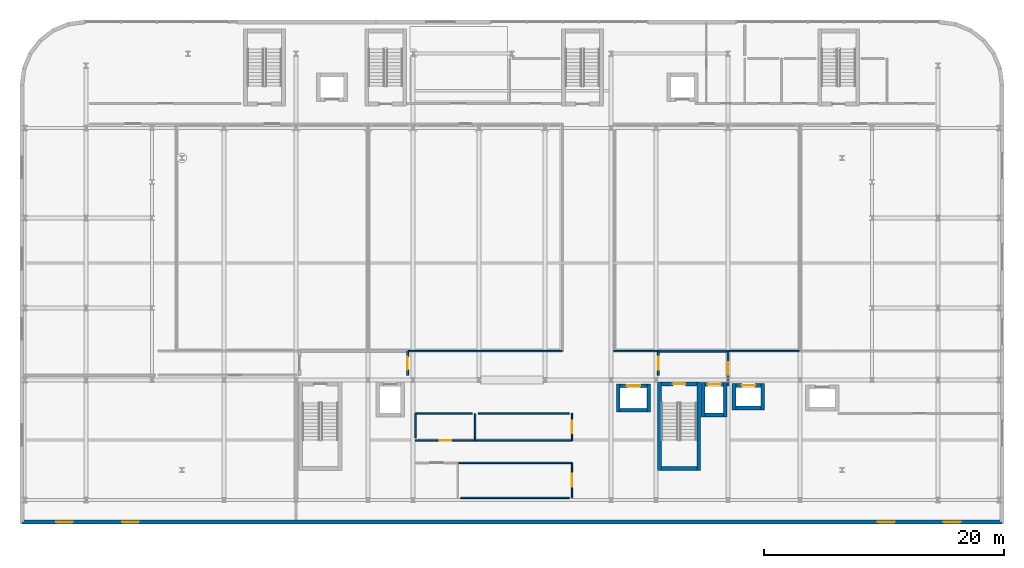
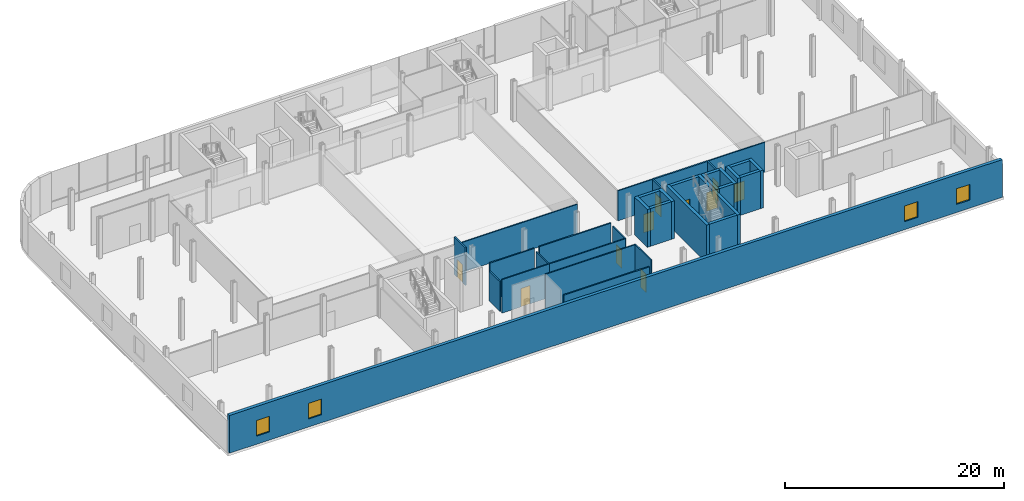
# One storey, part 17 of 25: 34 walls, 10 doors, 4 windows, 14 openings.
"""IFC4 building model written with IfcOpenShell, lengths in metres."""

from ifc_helpers import new_model, si_unit, direction, frame, frame_2d, origin, place, context, subcontext, project, spatial, rectangle, extrude, material, layer, layer_set, type_object, element, fill, save


model = new_model("IFC4")

# Units and contexts
model_context = context("Model", 3, precision=1e-05, world=origin(), true_north=direction((0.0, 1.0)))
body_context = subcontext(model_context, "Body", "Model", "MODEL_VIEW")
ifc_project = project(units=[si_unit("LENGTHUNIT", "METRE"), si_unit("AREAUNIT", "SQUARE_METRE"), si_unit("VOLUMEUNIT", "CUBIC_METRE"), si_unit("PLANEANGLEUNIT", "RADIAN"), si_unit("MASSUNIT", "GRAM", prefix="KILO")], contexts=[model_context])

# Site, building, storey
site_placement = place(None, origin())
site = spatial("IfcSite", under=ifc_project, at=site_placement, CompositionType="ELEMENT")
building_placement = place(site_placement, origin())
building = spatial("IfcBuilding", under=site, at=building_placement, Name="Brevholm Reach", CompositionType="ELEMENT")
storey_placement = place(building_placement, frame((0.0, 0.0, 13.5)))
storey = spatial("IfcBuildingStorey", under=building, at=storey_placement, Name="L03", CompositionType="ELEMENT", Elevation=13.5)

# Walls
ifc_material_1 = material(Name="Concrete C60/75", Category="concrete")
ifc_layer_1 = layer(ifc_material_1, 0.320068359375)
ifc_layer_set_1 = layer_set([ifc_layer_1], Name="Concrete C60/75")
wall_type_1 = type_object("IfcWallType", Name="WAL-COR-320", PredefinedType="SHEAR", material=ifc_layer_set_1)
for number, where, z_axis, x_axis, name in (
    (1, (42.2900390625, 2.4599609375, 0.0), (0.0, 0.0, 1.0), (0.0, 1.0, 0.0), "L03 Escape Stair ST-2 Core Wall W"),
    (2, (45.56005859375, 2.4599609375, 0.0), (0.0, 0.0, 1.0), (0.0, 1.0, 0.0), "L03 Escape Stair ST-2 Core Wall E"),
):
    element("IfcWall", number, at=place(storey_placement, frame(where, z_axis=z_axis, x_axis=x_axis)), inside=storey, type_object=wall_type_1, Name=name, PredefinedType="SHEAR", context=body_context, shape_type="SweptSolid", body=[
        extrude(rectangle(XDim=7.360107421875, YDim=0.320068359375, at=frame_2d((3.68017578125, 0.0))), origin(), (0.0, 0.0, 1.0), 4.219970703125),
    ])
wall_1_placement = place(storey_placement, frame((42.449951171875, 2.6201171875, 0.0), z_axis=(0.0, 0.0, 1.0), x_axis=(1.0, 0.0, 0.0)))
element("IfcWall", 3, at=wall_1_placement, inside=storey, type_object=wall_type_1, Name="L03 Escape Stair ST-2 Core Wall S", PredefinedType="SHEAR", context=body_context, shape_type="SweptSolid", body=[
    extrude(rectangle(XDim=2.949951171875, YDim=0.320068359375, at=frame_2d((1.47509765625, 0.0))), origin(), (0.0, 0.0, 1.0), 4.219970703125),
])

# Wall, opening, door
wall_2_placement = place(storey_placement, frame((45.39990234375, 9.659912109375, 0.0), z_axis=(0.0, 0.0, 1.0), x_axis=(-1.0, 0.0, 0.0)))
wall_2 = element("IfcWall", 4, at=wall_2_placement, inside=storey, type_object=wall_type_1, Name="L03 Escape Stair ST-2 Core Wall N", PredefinedType="SHEAR", context=body_context, shape_type="SweptSolid", body=[
    extrude(rectangle(XDim=2.949951171875, YDim=0.320068359375, at=frame_2d((1.47509765625, 0.0))), origin(), (0.0, 0.0, 1.0), 4.219970703125),
])
opening_1_placement = place(wall_2_placement, frame((0.949951171875, 0.0, 0.0)))
opening_1 = element("IfcOpeningElement", 5, at=opening_1_placement, cuts=wall_2, Name="Opening SD-ST-2", PredefinedType="OPENING", context=body_context, shape_type="SweptSolid", body=[
    extrude(rectangle(XDim=1.050048828125, YDim=2.06005859375, at=frame_2d((0.52490234375, 1.030029296875))), frame((0.0, 0.169921875, 0.0), z_axis=(0.0, -1.0, 0.0), x_axis=(1.0, 0.0, 0.0)), (0.0, 0.0, 1.0), 0.340087890625),
])
ifc_material_2 = material(Name="Hardwood-Lipped Steel-Core Fire and Smoke Door", Category="steel")
door_type_1 = type_object("IfcDoorType", Name="DOR-INT-FD60S", OperationType="NOTDEFINED", PredefinedType="DOOR", material=ifc_material_2)
door_1_placement = place(opening_1_placement, origin())
door_1 = element("IfcDoor", 6, at=door_1_placement, inside=storey, type_object=door_type_1, Name="L03 Protected Stair ST-2 Lobby Door", OperationType="SINGLE_SWING_RIGHT", OverallHeight=2.06005859375, OverallWidth=1.050048828125, PredefinedType="DOOR", context=body_context, shape_type="SweptSolid", body=[
    extrude(rectangle(XDim=1.050048828125, YDim=2.06005859375, at=frame_2d((0.52490234375, 1.030029296875))), frame((0.0, 0.02490234375, 0.0), z_axis=(0.0, -1.0, 0.0), x_axis=(1.0, 0.0, 0.0)), (0.0, 0.0, 1.0), 0.050048828125),
])
fill(opening_1, door_1)

# Walls
for number, where, z_axis, x_axis, name in (
    (7, (45.929931640625, 6.919921875, 0.0), (0.0, 0.0, 1.0), (0.0, 1.0, 0.0), "L03 Lift FFL-2 Shaft Wall W"),
    (8, (47.77001953125, 6.919921875, 0.0), (0.0, 0.0, 1.0), (0.0, 1.0, 0.0), "L03 Lift FFL-2 Shaft Wall E"),
):
    element("IfcWall", number, at=place(storey_placement, frame(where, z_axis=z_axis, x_axis=x_axis)), inside=storey, type_object=wall_type_1, Name=name, PredefinedType="SHEAR", context=body_context, shape_type="SweptSolid", body=[
        extrude(rectangle(XDim=2.860107421875, YDim=0.320068359375, at=frame_2d((1.43017578125, 0.0))), origin(), (0.0, 0.0, 1.0), 4.219970703125),
    ])
wall_3_placement = place(storey_placement, frame((46.090087890625, 7.080078125, 0.0), z_axis=(0.0, 0.0, 1.0), x_axis=(1.0, 0.0, 0.0)))
element("IfcWall", 9, at=wall_3_placement, inside=storey, type_object=wall_type_1, Name="L03 Lift FFL-2 Shaft Wall S", PredefinedType="SHEAR", context=body_context, shape_type="SweptSolid", body=[
    extrude(rectangle(XDim=1.52001953125, YDim=0.320068359375, at=frame_2d((0.760009765625, 0.0))), origin(), (0.0, 0.0, 1.0), 4.219970703125),
])

# Wall, opening, door
wall_4_placement = place(storey_placement, frame((46.090087890625, 9.6201171875, 0.0), z_axis=(0.0, 0.0, 1.0), x_axis=(1.0, 0.0, 0.0)))
wall_4 = element("IfcWall", 10, at=wall_4_placement, inside=storey, type_object=wall_type_1, Name="L03 Lift FFL-2 Shaft Wall N", PredefinedType="SHEAR", context=body_context, shape_type="SweptSolid", body=[
    extrude(rectangle(XDim=1.52001953125, YDim=0.320068359375, at=frame_2d((0.760009765625, 0.0))), origin(), (0.0, 0.0, 1.0), 4.219970703125),
])
opening_2_placement = place(wall_4_placement, frame((0.2099609375, 0.0, 0.0)))
opening_2 = element("IfcOpeningElement", 11, at=opening_2_placement, cuts=wall_4, Name="Opening LD-FFL-2", PredefinedType="OPENING", context=body_context, shape_type="SweptSolid", body=[
    extrude(rectangle(XDim=1.10009765625, YDim=2.06005859375, at=frame_2d((0.550048828125, 1.030029296875))), frame((0.0, 0.169921875, 0.0), z_axis=(0.0, -1.0, 0.0), x_axis=(1.0, 0.0, 0.0)), (0.0, 0.0, 1.0), 0.340087890625),
])
ifc_material_3 = material(Name="Brushed Stainless Steel Fire-Rated Sliding Lift Door", Category="steel")
door_type_2 = type_object("IfcDoorType", Name="DOR-LFT-1100", OperationType="NOTDEFINED", PredefinedType="DOOR", material=ifc_material_3)
door_2_placement = place(opening_2_placement, origin())
door_2 = element("IfcDoor", 12, at=door_2_placement, inside=storey, type_object=door_type_2, Name="L03 Lift FFL-2 Sliding Landing Door", OperationType="SLIDING_TO_RIGHT", OverallHeight=2.06005859375, OverallWidth=1.10009765625, PredefinedType="DOOR", context=body_context, shape_type="SweptSolid", body=[
    extrude(rectangle(XDim=1.10009765625, YDim=2.06005859375, at=frame_2d((0.550048828125, 1.030029296875))), frame((0.0, 0.02490234375, 0.0), z_axis=(0.0, -1.0, 0.0), x_axis=(1.0, 0.0, 0.0)), (0.0, 0.0, 1.0), 0.050048828125),
])
fill(opening_2, door_2)

# Walls
for number, where, z_axis, x_axis, name in (
    (13, (48.5048828125, 7.4951171875, 0.0), (0.0, 0.0, 1.0), (0.0, 1.0, 0.0), "L03 Lift PL-L1 Shaft Wall W"),
    (14, (50.89501953125, 7.4951171875, 0.0), (0.0, 0.0, 1.0), (0.0, 1.0, 0.0), "L03 Lift PL-L1 Shaft Wall E"),
):
    element("IfcWall", number, at=place(storey_placement, frame(where, z_axis=z_axis, x_axis=x_axis)), inside=storey, type_object=wall_type_1, Name=name, PredefinedType="SHEAR", context=body_context, shape_type="SweptSolid", body=[
        extrude(rectangle(XDim=2.2099609375, YDim=0.320068359375, at=frame_2d((1.10498046875, 0.0))), origin(), (0.0, 0.0, 1.0), 4.219970703125),
    ])
wall_5_placement = place(storey_placement, frame((48.6650390625, 7.655029296875, 0.0), z_axis=(0.0, 0.0, 1.0), x_axis=(1.0, 0.0, 0.0)))
element("IfcWall", 15, at=wall_5_placement, inside=storey, type_object=wall_type_1, Name="L03 Lift PL-L1 Shaft Wall S", PredefinedType="SHEAR", context=body_context, shape_type="SweptSolid", body=[
    extrude(rectangle(XDim=2.070068359375, YDim=0.320068359375, at=frame_2d((1.03515625, 0.0))), origin(), (0.0, 0.0, 1.0), 4.219970703125),
])

# Wall, opening, door
wall_6_placement = place(storey_placement, frame((48.6650390625, 9.544921875, 0.0), z_axis=(0.0, 0.0, 1.0), x_axis=(1.0, 0.0, 0.0)))
wall_6 = element("IfcWall", 16, at=wall_6_placement, inside=storey, type_object=wall_type_1, Name="L03 Lift PL-L1 Shaft Wall N", PredefinedType="SHEAR", context=body_context, shape_type="SweptSolid", body=[
    extrude(rectangle(XDim=2.070068359375, YDim=0.320068359375, at=frame_2d((1.03515625, 0.0))), origin(), (0.0, 0.0, 1.0), 4.219970703125),
])
opening_3_placement = place(wall_6_placement, frame((0.485107421875, 0.0, 0.0)))
opening_3 = element("IfcOpeningElement", 17, at=opening_3_placement, cuts=wall_6, Name="Opening LD-PL-L1", PredefinedType="OPENING", context=body_context, shape_type="SweptSolid", body=[
    extrude(rectangle(XDim=1.10009765625, YDim=2.06005859375, at=frame_2d((0.550048828125, 1.030029296875))), frame((0.0, 0.169921875, 0.0), z_axis=(0.0, -1.0, 0.0), x_axis=(1.0, 0.0, 0.0)), (0.0, 0.0, 1.0), 0.340087890625),
])
door_3_placement = place(opening_3_placement, origin())
door_3 = element("IfcDoor", 18, at=door_3_placement, inside=storey, type_object=door_type_2, Name="L03 Lift PL-L1 Sliding Landing Door", OperationType="SLIDING_TO_LEFT", OverallHeight=2.06005859375, OverallWidth=1.10009765625, PredefinedType="DOOR", context=body_context, shape_type="SweptSolid", body=[
    extrude(rectangle(XDim=1.10009765625, YDim=2.06005859375, at=frame_2d((0.550048828125, 1.030029296875))), frame((0.0, 0.02490234375, 0.0), z_axis=(0.0, -1.0, 0.0), x_axis=(1.0, 0.0, 0.0)), (0.0, 0.0, 1.0), 0.050048828125),
])
fill(opening_3, door_3)

# Walls
for number, where, z_axis, x_axis, name in (
    (19, (38.85009765625, 7.320068359375, 0.0), (0.0, 0.0, 1.0), (0.0, 1.0, 0.0), "L03 Lift PL-S1 Shaft Wall W"),
    (20, (41.389892578125, 7.320068359375, 0.0), (0.0, 0.0, 1.0), (0.0, 1.0, 0.0), "L03 Lift PL-S1 Shaft Wall E"),
):
    element("IfcWall", number, at=place(storey_placement, frame(where, z_axis=z_axis, x_axis=x_axis)), inside=storey, type_object=wall_type_1, Name=name, PredefinedType="SHEAR", context=body_context, shape_type="SweptSolid", body=[
        extrude(rectangle(XDim=2.35986328125, YDim=0.320068359375, at=frame_2d((1.179931640625, 0.0))), origin(), (0.0, 0.0, 1.0), 4.219970703125),
    ])
wall_7_placement = place(storey_placement, frame((39.010009765625, 7.47998046875, 0.0), z_axis=(0.0, 0.0, 1.0), x_axis=(1.0, 0.0, 0.0)))
element("IfcWall", 21, at=wall_7_placement, inside=storey, type_object=wall_type_1, Name="L03 Lift PL-S1 Shaft Wall S", PredefinedType="SHEAR", context=body_context, shape_type="SweptSolid", body=[
    extrude(rectangle(XDim=2.219970703125, YDim=0.320068359375, at=frame_2d((1.10986328125, 0.0))), origin(), (0.0, 0.0, 1.0), 4.219970703125),
])

# Wall, opening, door
wall_8_placement = place(storey_placement, frame((39.010009765625, 9.52001953125, 0.0), z_axis=(0.0, 0.0, 1.0), x_axis=(1.0, 0.0, 0.0)))
wall_8 = element("IfcWall", 22, at=wall_8_placement, inside=storey, type_object=wall_type_1, Name="L03 Lift PL-S1 Shaft Wall N", PredefinedType="SHEAR", context=body_context, shape_type="SweptSolid", body=[
    extrude(rectangle(XDim=2.219970703125, YDim=0.320068359375, at=frame_2d((1.10986328125, 0.0))), origin(), (0.0, 0.0, 1.0), 4.219970703125),
])
opening_4_placement = place(wall_8_placement, frame((0.56005859375, 0.0, 0.0)))
opening_4 = element("IfcOpeningElement", 23, at=opening_4_placement, cuts=wall_8, Name="Opening LD-PL-S1", PredefinedType="OPENING", context=body_context, shape_type="SweptSolid", body=[
    extrude(rectangle(XDim=1.10009765625, YDim=2.06005859375, at=frame_2d((0.550048828125, 1.030029296875))), frame((0.0, 0.169921875, 0.0), z_axis=(0.0, -1.0, 0.0), x_axis=(1.0, 0.0, 0.0)), (0.0, 0.0, 1.0), 0.340087890625),
])
door_4_placement = place(opening_4_placement, origin())
door_4 = element("IfcDoor", 24, at=door_4_placement, inside=storey, type_object=door_type_2, Name="L03 Lift PL-S1 Sliding Landing Door", OperationType="SLIDING_TO_LEFT", OverallHeight=2.06005859375, OverallWidth=1.10009765625, PredefinedType="DOOR", context=body_context, shape_type="SweptSolid", body=[
    extrude(rectangle(XDim=1.10009765625, YDim=2.06005859375, at=frame_2d((0.550048828125, 1.030029296875))), frame((0.0, 0.02490234375, 0.0), z_axis=(0.0, -1.0, 0.0), x_axis=(1.0, 0.0, 0.0)), (0.0, 0.0, 1.0), 0.050048828125),
])
fill(opening_4, door_4)

# Wall, openings, windows
ifc_material_4 = material(Name="Concrete C40/50", Category="concrete")
ifc_layer_2 = layer(ifc_material_4, 0.340087890625)
ifc_layer_set_2 = layer_set([ifc_layer_2], Name="Concrete C40/50")
wall_type_2 = type_object("IfcWallType", Name="WAL-EXT-340", PredefinedType="STANDARD", material=ifc_layer_set_2)
wall_9_placement = place(storey_placement, frame((-10.830078125, -1.830078125, 0.0), z_axis=(0.0, 0.0, 1.0), x_axis=(1.0, 0.0, 0.0)))
wall_9 = element("IfcWall", 25, at=wall_9_placement, inside=storey, type_object=wall_type_2, Name="L03 Facade Wall WAL-L03-S", PredefinedType="STANDARD", context=body_context, shape_type="SweptSolid", body=[
    extrude(rectangle(XDim=81.66015625, YDim=0.340087890625, at=frame_2d((40.830078125, 0.0))), origin(), (0.0, 0.0, 1.0), 4.219970703125),
])
opening_5_placement = place(wall_9_placement, frame((2.830078125, 0.0, 0.89990234375)))
opening_5 = element("IfcOpeningElement", 26, at=opening_5_placement, cuts=wall_9, Name="Opening WN-04", PredefinedType="OPENING", context=body_context, shape_type="SweptSolid", body=[
    extrude(rectangle(XDim=1.39990234375, YDim=1.75, at=frame_2d((0.699951171875, 0.875))), frame((0.0, 0.179931640625, 0.0), z_axis=(0.0, -1.0, 0.0), x_axis=(1.0, 0.0, 0.0)), (0.0, 0.0, 1.0), 0.360107421875),
])
opening_6_placement = place(wall_9_placement, frame((8.330078125, 0.0, 0.89990234375)))
opening_6 = element("IfcOpeningElement", 27, at=opening_6_placement, cuts=wall_9, Name="Opening WN-04", PredefinedType="OPENING", context=body_context, shape_type="SweptSolid", body=[
    extrude(rectangle(XDim=1.39990234375, YDim=1.75, at=frame_2d((0.699951171875, 0.875))), frame((0.0, 0.179931640625, 0.0), z_axis=(0.0, -1.0, 0.0), x_axis=(1.0, 0.0, 0.0)), (0.0, 0.0, 1.0), 0.360107421875),
])
opening_7_placement = place(wall_9_placement, frame((71.330078125, 0.0, 0.89990234375)))
opening_7 = element("IfcOpeningElement", 28, at=opening_7_placement, cuts=wall_9, Name="Opening WN-04", PredefinedType="OPENING", context=body_context, shape_type="SweptSolid", body=[
    extrude(rectangle(XDim=1.39990234375, YDim=1.75, at=frame_2d((0.699951171875, 0.875))), frame((0.0, 0.179931640625, 0.0), z_axis=(0.0, -1.0, 0.0), x_axis=(1.0, 0.0, 0.0)), (0.0, 0.0, 1.0), 0.360107421875),
])
opening_8_placement = place(wall_9_placement, frame((76.830078125, 0.0, 0.89990234375)))
opening_8 = element("IfcOpeningElement", 29, at=opening_8_placement, cuts=wall_9, Name="Opening WN-04", PredefinedType="OPENING", context=body_context, shape_type="SweptSolid", body=[
    extrude(rectangle(XDim=1.39990234375, YDim=1.75, at=frame_2d((0.699951171875, 0.875))), frame((0.0, 0.179931640625, 0.0), z_axis=(0.0, -1.0, 0.0), x_axis=(1.0, 0.0, 0.0)), (0.0, 0.0, 1.0), 0.360107421875),
])
ifc_material_5 = material(Name="Dark Anodised Aluminium and Solar-Control IGU Glass", Category="aluminium")
window_type = type_object("IfcWindowType", Name="WIN-SCH-1400", PartitioningType="SINGLE_PANEL", PredefinedType="WINDOW", material=ifc_material_5)
window_1_placement = place(opening_5_placement, origin())
window_1 = element("IfcWindow", 30, at=window_1_placement, inside=storey, type_object=window_type, Name="L03 Window WIN-L03-S-1", OverallHeight=1.75, OverallWidth=1.39990234375, PartitioningType="SINGLE_PANEL", PredefinedType="WINDOW", context=body_context, shape_type="SweptSolid", body=[
    extrude(rectangle(XDim=1.39990234375, YDim=1.75, at=frame_2d((0.699951171875, 0.875))), frame((0.0, 0.030029296875, 0.0), z_axis=(0.0, -1.0, 0.0), x_axis=(1.0, 0.0, 0.0)), (0.0, 0.0, 1.0), 0.06005859375),
])
fill(opening_5, window_1)
window_2_placement = place(opening_6_placement, origin())
window_2 = element("IfcWindow", 31, at=window_2_placement, inside=storey, type_object=window_type, Name="L03 Window WIN-L03-S-2", OverallHeight=1.75, OverallWidth=1.39990234375, PartitioningType="SINGLE_PANEL", PredefinedType="WINDOW", context=body_context, shape_type="SweptSolid", body=[
    extrude(rectangle(XDim=1.39990234375, YDim=1.75, at=frame_2d((0.699951171875, 0.875))), frame((0.0, 0.030029296875, 0.0), z_axis=(0.0, -1.0, 0.0), x_axis=(1.0, 0.0, 0.0)), (0.0, 0.0, 1.0), 0.06005859375),
])
fill(opening_6, window_2)
window_3_placement = place(opening_7_placement, origin())
window_3 = element("IfcWindow", 32, at=window_3_placement, inside=storey, type_object=window_type, Name="L03 Window WIN-L03-S-3", OverallHeight=1.75, OverallWidth=1.39990234375, PartitioningType="SINGLE_PANEL", PredefinedType="WINDOW", context=body_context, shape_type="SweptSolid", body=[
    extrude(rectangle(XDim=1.39990234375, YDim=1.75, at=frame_2d((0.699951171875, 0.875))), frame((0.0, 0.030029296875, 0.0), z_axis=(0.0, -1.0, 0.0), x_axis=(1.0, 0.0, 0.0)), (0.0, 0.0, 1.0), 0.06005859375),
])
fill(opening_7, window_3)
window_4_placement = place(opening_8_placement, origin())
window_4 = element("IfcWindow", 33, at=window_4_placement, inside=storey, type_object=window_type, Name="L03 Window WIN-L03-S-4", OverallHeight=1.75, OverallWidth=1.39990234375, PartitioningType="SINGLE_PANEL", PredefinedType="WINDOW", context=body_context, shape_type="SweptSolid", body=[
    extrude(rectangle(XDim=1.39990234375, YDim=1.75, at=frame_2d((0.699951171875, 0.875))), frame((0.0, 0.030029296875, 0.0), z_axis=(0.0, -1.0, 0.0), x_axis=(1.0, 0.0, 0.0)), (0.0, 0.0, 1.0), 0.06005859375),
])
fill(opening_8, window_4)

# Wall, opening, door
ifc_material_6 = material(Name="Acoustic Fire-Rated Classroom Gypsum Partition 120 mm", Category="gypsum")
ifc_layer_3 = layer(ifc_material_6, 0.1201171875)
ifc_layer_set_3 = layer_set([ifc_layer_3], Name="Acoustic Fire-Rated Classroom Gypsum Partition 120 mm")
wall_type_3 = type_object("IfcWallType", Name="WAL-PRT-120", PredefinedType="PARTITIONING", material=ifc_layer_set_3)
wall_10_placement = place(storey_placement, frame((35.0, 0.179931640625, 0.0), z_axis=(0.0, 0.0, 1.0), x_axis=(0.0, 1.0, 0.0)))
wall_10 = element("IfcWall", 34, at=wall_10_placement, inside=storey, type_object=wall_type_3, Name="L03 Internal Partition 001", PredefinedType="PARTITIONING", context=body_context, shape_type="SweptSolid", body=[
    extrude(rectangle(XDim=2.927490234375, YDim=0.1201171875, at=frame_2d((1.4638671875, 0.0))), origin(), (0.0, 0.0, 1.0), 4.219970703125),
])
opening_9_placement = place(wall_10_placement, frame((0.938720703125, 0.0, 0.0)))
opening_9 = element("IfcOpeningElement", 35, at=opening_9_placement, cuts=wall_10, Name="Opening FD-01", PredefinedType="OPENING", context=body_context, shape_type="SweptSolid", body=[
    extrude(rectangle(XDim=1.050048828125, YDim=2.06005859375, at=frame_2d((0.52490234375, 1.030029296875))), frame((0.0, 0.070068359375, 0.0), z_axis=(0.0, -1.0, 0.0), x_axis=(1.0, 0.0, 0.0)), (0.0, 0.0, 1.0), 0.14013671875),
])
door_5_placement = place(opening_9_placement, origin())
door_5 = element("IfcDoor", 36, at=door_5_placement, inside=storey, type_object=door_type_1, Name="L03 Internal Door 001", OperationType="SINGLE_SWING_LEFT", OverallHeight=2.06005859375, OverallWidth=1.050048828125, PredefinedType="DOOR", context=body_context, shape_type="SweptSolid", body=[
    extrude(rectangle(XDim=1.050048828125, YDim=2.06005859375, at=frame_2d((0.52490234375, 1.030029296875))), frame((0.0, 0.02490234375, 0.0), z_axis=(0.0, -1.0, 0.0), x_axis=(1.0, 0.0, 0.0)), (0.0, 0.0, 1.0), 0.050048828125),
])
fill(opening_9, door_5)

wall_11_placement = place(storey_placement, frame((35.0, 4.942626953125, 0.0), z_axis=(0.0, 0.0, 1.0), x_axis=(0.0, 1.0, 0.0)))
wall_11 = element("IfcWall", 37, at=wall_11_placement, inside=storey, type_object=wall_type_3, Name="L03 Internal Partition 002", PredefinedType="PARTITIONING", context=body_context, shape_type="SweptSolid", body=[
    extrude(rectangle(XDim=2.2685546875, YDim=0.1201171875, at=frame_2d((1.13427734375, 0.0))), origin(), (0.0, 0.0, 1.0), 3.738037109375),
])
opening_10_placement = place(wall_11_placement, frame((0.609375, 0.0, 0.0)))
opening_10 = element("IfcOpeningElement", 38, at=opening_10_placement, cuts=wall_11, Name="Opening FD-01", PredefinedType="OPENING", context=body_context, shape_type="SweptSolid", body=[
    extrude(rectangle(XDim=1.050048828125, YDim=2.06005859375, at=frame_2d((0.52490234375, 1.030029296875))), frame((0.0, 0.070068359375, 0.0), z_axis=(0.0, -1.0, 0.0), x_axis=(1.0, 0.0, 0.0)), (0.0, 0.0, 1.0), 0.14013671875),
])
door_6_placement = place(opening_10_placement, origin())
door_6 = element("IfcDoor", 39, at=door_6_placement, inside=storey, type_object=door_type_1, Name="L03 Internal Door 002", OperationType="SINGLE_SWING_RIGHT", OverallHeight=2.06005859375, OverallWidth=1.050048828125, PredefinedType="DOOR", context=body_context, shape_type="SweptSolid", body=[
    extrude(rectangle(XDim=1.050048828125, YDim=2.06005859375, at=frame_2d((0.52490234375, 1.030029296875))), frame((0.0, 0.02490234375, 0.0), z_axis=(0.0, -1.0, 0.0), x_axis=(1.0, 0.0, 0.0)), (0.0, 0.0, 1.0), 0.050048828125),
])
fill(opening_10, door_6)

# Wall
wall_12_placement = place(storey_placement, frame((25.47265625, 3.10009765625, 0.0), z_axis=(0.0, 0.0, 1.0), x_axis=(1.0, 0.0, 0.0)))
element("IfcWall", 40, at=wall_12_placement, inside=storey, type_object=wall_type_3, Name="L03 Internal Partition 004", PredefinedType="PARTITIONING", context=body_context, shape_type="SweptSolid", body=[
    extrude(rectangle(XDim=9.5234375, YDim=0.1201171875, at=frame_2d((4.76171875, 0.0))), origin(), (0.0, 0.0, 1.0), 4.219970703125),
])

# Wall, opening, door
wall_13_placement = place(storey_placement, frame((21.949951171875, 4.949951171875, 0.0), z_axis=(0.0, 0.0, 1.0), x_axis=(1.0, 0.0, 0.0)))
wall_13 = element("IfcWall", 41, at=wall_13_placement, inside=storey, type_object=wall_type_3, Name="L03 Internal Partition 005", PredefinedType="PARTITIONING", context=body_context, shape_type="SweptSolid", body=[
    extrude(rectangle(XDim=4.991455078125, YDim=0.1201171875, at=frame_2d((2.49560546875, 0.0))), origin(), (0.0, 0.0, 1.0), 3.738037109375),
])
opening_11_placement = place(wall_13_placement, frame((2.0205078125, 0.0, 0.0)))
opening_11 = element("IfcOpeningElement", 42, at=opening_11_placement, cuts=wall_13, Name="Opening ID-30", PredefinedType="OPENING", context=body_context, shape_type="SweptSolid", body=[
    extrude(rectangle(XDim=0.949951171875, YDim=2.050048828125, at=frame_2d((0.47509765625, 1.02490234375))), frame((0.0, 0.070068359375, 0.0), z_axis=(0.0, -1.0, 0.0), x_axis=(1.0, 0.0, 0.0)), (0.0, 0.0, 1.0), 0.14013671875),
])
ifc_material_7 = material(Name="European Oak Veneered Solid-Core Fire Entrance Door", Category="timber")
door_type_3 = type_object("IfcDoorType", Name="DOR-FLT-FD30S", OperationType="NOTDEFINED", PredefinedType="DOOR", material=ifc_material_7)
door_7_placement = place(opening_11_placement, origin())
door_7 = element("IfcDoor", 43, at=door_7_placement, inside=storey, type_object=door_type_3, Name="L03 Internal Door 004", OperationType="SINGLE_SWING_RIGHT", OverallHeight=2.050048828125, OverallWidth=0.949951171875, PredefinedType="DOOR", context=body_context, shape_type="SweptSolid", body=[
    extrude(rectangle(XDim=0.949951171875, YDim=2.050048828125, at=frame_2d((0.47509765625, 1.02490234375))), frame((0.0, 0.02490234375, 0.0), z_axis=(0.0, -1.0, 0.0), x_axis=(1.0, 0.0, 0.0)), (0.0, 0.0, 1.0), 0.050048828125),
])
fill(opening_11, door_7)

# Walls
wall_14_placement = place(storey_placement, frame((26.922607421875, 4.949951171875, 0.0), z_axis=(0.0, 0.0, 1.0), x_axis=(1.0, 0.0, 0.0)))
element("IfcWall", 44, at=wall_14_placement, inside=storey, type_object=wall_type_3, Name="L03 Internal Partition 006", PredefinedType="PARTITIONING", context=body_context, shape_type="SweptSolid", body=[
    extrude(rectangle(XDim=8.073486328125, YDim=0.1201171875, at=frame_2d((4.03662109375, 0.0))), origin(), (0.0, 0.0, 1.0), 3.738037109375),
])
wall_15_placement = place(storey_placement, frame((26.929931640625, 4.9541015625, 0.0), z_axis=(0.0, 0.0, 1.0), x_axis=(0.0, 1.0, 0.0)))
element("IfcWall", 45, at=wall_15_placement, inside=storey, type_object=wall_type_3, Name="L03 Internal Partition 008", PredefinedType="PARTITIONING", context=body_context, shape_type="SweptSolid", body=[
    extrude(rectangle(XDim=2.245849609375, YDim=0.1201171875, at=frame_2d((1.123046875, 0.0))), origin(), (0.0, 0.0, 1.0), 3.738037109375),
])
wall_16_placement = place(storey_placement, frame((21.303955078125, 12.39990234375, 0.0), z_axis=(0.0, 0.0, 1.0), x_axis=(1.0, 0.0, 0.0)))
element("IfcWall", 46, at=wall_16_placement, inside=storey, type_object=wall_type_3, Name="L03 Internal Partition 033", PredefinedType="PARTITIONING", context=body_context, shape_type="SweptSolid", body=[
    extrude(rectangle(XDim=12.9033203125, YDim=0.1201171875, at=frame_2d((6.45166015625, 0.0))), origin(), (0.0, 0.0, 1.0), 3.343994140625),
])
wall_17_placement = place(storey_placement, frame((38.49267578125, 12.39990234375, 0.0), z_axis=(0.0, 0.0, 1.0), x_axis=(1.0, 0.0, 0.0)))
element("IfcWall", 47, at=wall_17_placement, inside=storey, type_object=wall_type_3, Name="L03 Internal Partition 034", PredefinedType="PARTITIONING", context=body_context, shape_type="SweptSolid", body=[
    extrude(rectangle(XDim=3.703369140625, YDim=0.1201171875, at=frame_2d((1.8515625, 0.0))), origin(), (0.0, 0.0, 1.0), 3.343994140625),
])
wall_18_placement = place(storey_placement, frame((48.00390625, 12.39990234375, 0.0), z_axis=(0.0, 0.0, 1.0), x_axis=(1.0, 0.0, 0.0)))
element("IfcWall", 48, at=wall_18_placement, inside=storey, type_object=wall_type_3, Name="L03 Internal Partition 035", PredefinedType="PARTITIONING", context=body_context, shape_type="SweptSolid", body=[
    extrude(rectangle(XDim=6.00732421875, YDim=0.1201171875, at=frame_2d((3.003662109375, 0.0))), origin(), (0.0, 0.0, 1.0), 3.343994140625),
])
ifc_material_8 = material(Name="Twin-Stud Acoustic Fire-Rated Gypsum Partition 140 mm", Category="gypsum")
ifc_layer_4 = layer(ifc_material_8, 0.139892578125)
ifc_layer_set_4 = layer_set([ifc_layer_4], Name="Twin-Stud Acoustic Fire-Rated Gypsum Partition 140 mm")
wall_type_4 = type_object("IfcWallType", Name="WAL-PRT-140", PredefinedType="PARTITIONING", material=ifc_layer_set_4)
wall_19_placement = place(storey_placement, frame((25.719970703125, 0.179931640625, 0.0), z_axis=(0.0, 0.0, 1.0), x_axis=(1.0, 0.0, 0.0)))
element("IfcWall", 49, at=wall_19_placement, inside=storey, type_object=wall_type_4, Name="L03 Internal Partition 049", PredefinedType="PARTITIONING", context=body_context, shape_type="SweptSolid", body=[
    extrude(rectangle(XDim=9.0400390625, YDim=0.139892578125, at=frame_2d((4.52001953125, 0.0))), origin(), (0.0, 0.0, 1.0), 3.582763671875),
])
wall_20_placement = place(storey_placement, frame((21.949951171875, 7.199951171875, 0.0), z_axis=(0.0, 0.0, 1.0), x_axis=(1.0, 0.0, 0.0)))
element("IfcWall", 50, at=wall_20_placement, inside=storey, type_object=wall_type_4, Name="L03 Internal Partition 050", PredefinedType="PARTITIONING", context=body_context, shape_type="SweptSolid", body=[
    extrude(rectangle(XDim=4.739990234375, YDim=0.139892578125, at=frame_2d((2.3701171875, 0.0))), origin(), (0.0, 0.0, 1.0), 4.219970703125),
])
wall_21_placement = place(storey_placement, frame((21.949951171875, 5.18994140625, 0.0), z_axis=(0.0, 0.0, 1.0), x_axis=(0.0, 1.0, 0.0)))
element("IfcWall", 51, at=wall_21_placement, inside=storey, type_object=wall_type_4, Name="L03 Internal Partition 051", PredefinedType="PARTITIONING", context=body_context, shape_type="SweptSolid", body=[
    extrude(rectangle(XDim=2.010009765625, YDim=0.139892578125, at=frame_2d((1.0048828125, 0.0))), origin(), (0.0, 0.0, 1.0), 3.343994140625),
])
wall_22_placement = place(storey_placement, frame((27.169921875, 7.199951171875, 0.0), z_axis=(0.0, 0.0, 1.0), x_axis=(1.0, 0.0, 0.0)))
element("IfcWall", 52, at=wall_22_placement, inside=storey, type_object=wall_type_4, Name="L03 Internal Partition 052", PredefinedType="PARTITIONING", context=body_context, shape_type="SweptSolid", body=[
    extrude(rectangle(XDim=7.590087890625, YDim=0.139892578125, at=frame_2d((3.794921875, 0.0))), origin(), (0.0, 0.0, 1.0), 4.219970703125),
])

# Wall, opening, door
ifc_material_9 = material(Name="Twin-Frame Fire-Rated Gypsum Board and Mineral Wool 160 mm", Category="gypsum")
ifc_layer_5 = layer(ifc_material_9, 0.159912109375)
ifc_layer_set_5 = layer_set([ifc_layer_5], Name="Twin-Frame Fire-Rated Gypsum Board and Mineral Wool 160 mm")
wall_type_5 = type_object("IfcWallType", Name="WAL-PRT-160", PredefinedType="PARTITIONING", material=ifc_layer_set_5)
wall_23_placement = place(storey_placement, frame((21.300048828125, 10.388671875, 0.0), z_axis=(0.0, 0.0, 1.0), x_axis=(0.0, 1.0, 0.0)))
wall_23 = element("IfcWall", 53, at=wall_23_placement, inside=storey, type_object=wall_type_5, Name="L03 Internal Partition 010", PredefinedType="PARTITIONING", context=body_context, shape_type="SweptSolid", body=[
    extrude(rectangle(XDim=2.01123046875, YDim=0.159912109375, at=frame_2d((1.005615234375, 0.0))), origin(), (0.0, 0.0, 1.0), 4.219970703125),
])
opening_12_placement = place(wall_23_placement, frame((0.480712890625, 0.0, 0.0)))
opening_12 = element("IfcOpeningElement", 54, at=opening_12_placement, cuts=wall_23, Name="Opening FD-01", PredefinedType="OPENING", context=body_context, shape_type="SweptSolid", body=[
    extrude(rectangle(XDim=1.050048828125, YDim=2.06005859375, at=frame_2d((0.52490234375, 1.030029296875))), frame((0.0, 0.08984375, 0.0), z_axis=(0.0, -1.0, 0.0), x_axis=(1.0, 0.0, 0.0)), (0.0, 0.0, 1.0), 0.179931640625),
])
door_8_placement = place(opening_12_placement, origin())
door_8 = element("IfcDoor", 55, at=door_8_placement, inside=storey, type_object=door_type_1, Name="L03 Internal Door 006", OperationType="SINGLE_SWING_RIGHT", OverallHeight=2.06005859375, OverallWidth=1.050048828125, PredefinedType="DOOR", context=body_context, shape_type="SweptSolid", body=[
    extrude(rectangle(XDim=1.050048828125, YDim=2.06005859375, at=frame_2d((0.52490234375, 1.030029296875))), frame((0.0, 0.02490234375, 0.0), z_axis=(0.0, -1.0, 0.0), x_axis=(1.0, 0.0, 0.0)), (0.0, 0.0, 1.0), 0.050048828125),
])
fill(opening_12, door_8)

wall_24_placement = place(storey_placement, frame((42.199951171875, 10.388671875, 0.0), z_axis=(0.0, 0.0, 1.0), x_axis=(0.0, 1.0, 0.0)))
wall_24 = element("IfcWall", 56, at=wall_24_placement, inside=storey, type_object=wall_type_5, Name="L03 Internal Partition 013", PredefinedType="PARTITIONING", context=body_context, shape_type="SweptSolid", body=[
    extrude(rectangle(XDim=2.01123046875, YDim=0.159912109375, at=frame_2d((1.005615234375, 0.0))), origin(), (0.0, 0.0, 1.0), 3.343994140625),
])
opening_13_placement = place(wall_24_placement, frame((0.480712890625, 0.0, 0.0)))
opening_13 = element("IfcOpeningElement", 57, at=opening_13_placement, cuts=wall_24, Name="Opening FD-01", PredefinedType="OPENING", context=body_context, shape_type="SweptSolid", body=[
    extrude(rectangle(XDim=1.050048828125, YDim=2.06005859375, at=frame_2d((0.52490234375, 1.030029296875))), frame((0.0, 0.08984375, 0.0), z_axis=(0.0, -1.0, 0.0), x_axis=(1.0, 0.0, 0.0)), (0.0, 0.0, 1.0), 0.179931640625),
])
door_9_placement = place(opening_13_placement, origin())
door_9 = element("IfcDoor", 58, at=door_9_placement, inside=storey, type_object=door_type_1, Name="L03 Internal Door 007", OperationType="SINGLE_SWING_LEFT", OverallHeight=2.06005859375, OverallWidth=1.050048828125, PredefinedType="DOOR", context=body_context, shape_type="SweptSolid", body=[
    extrude(rectangle(XDim=1.050048828125, YDim=2.06005859375, at=frame_2d((0.52490234375, 1.030029296875))), frame((0.0, 0.02490234375, 0.0), z_axis=(0.0, -1.0, 0.0), x_axis=(1.0, 0.0, 0.0)), (0.0, 0.0, 1.0), 0.050048828125),
])
fill(opening_13, door_9)

wall_25_placement = place(storey_placement, frame((48.0, 9.5, 0.0), z_axis=(0.0, 0.0, 1.0), x_axis=(0.0, 1.0, 0.0)))
wall_25 = element("IfcWall", 59, at=wall_25_placement, inside=storey, type_object=wall_type_5, Name="L03 Internal Partition 014", PredefinedType="PARTITIONING", context=body_context, shape_type="SweptSolid", body=[
    extrude(rectangle(XDim=2.89990234375, YDim=0.159912109375, at=frame_2d((1.449951171875, 0.0))), origin(), (0.0, 0.0, 1.0), 3.343994140625),
])
opening_14_placement = place(wall_25_placement, frame((0.925048828125, 0.0, 0.0)))
opening_14 = element("IfcOpeningElement", 60, at=opening_14_placement, cuts=wall_25, Name="Opening FD-01", PredefinedType="OPENING", context=body_context, shape_type="SweptSolid", body=[
    extrude(rectangle(XDim=1.050048828125, YDim=2.06005859375, at=frame_2d((0.52490234375, 1.030029296875))), frame((0.0, 0.08984375, 0.0), z_axis=(0.0, -1.0, 0.0), x_axis=(1.0, 0.0, 0.0)), (0.0, 0.0, 1.0), 0.179931640625),
])
door_10_placement = place(opening_14_placement, origin())
door_10 = element("IfcDoor", 61, at=door_10_placement, inside=storey, type_object=door_type_1, Name="L03 Internal Door 008", OperationType="SINGLE_SWING_RIGHT", OverallHeight=2.06005859375, OverallWidth=1.050048828125, PredefinedType="DOOR", context=body_context, shape_type="SweptSolid", body=[
    extrude(rectangle(XDim=1.050048828125, YDim=2.06005859375, at=frame_2d((0.52490234375, 1.030029296875))), frame((0.0, 0.02490234375, 0.0), z_axis=(0.0, -1.0, 0.0), x_axis=(1.0, 0.0, 0.0)), (0.0, 0.0, 1.0), 0.050048828125),
])
fill(opening_14, door_10)

# Wall
wall_26_placement = place(storey_placement, frame((42.199951171875, 12.39990234375, 0.0), z_axis=(0.0, 0.0, 1.0), x_axis=(1.0, 0.0, 0.0)))
element("IfcWall", 62, at=wall_26_placement, inside=storey, type_object=wall_type_5, Name="L03 Internal Partition 015", PredefinedType="PARTITIONING", context=body_context, shape_type="SweptSolid", body=[
    extrude(rectangle(XDim=5.800048828125, YDim=0.159912109375, at=frame_2d((2.89990234375, 0.0))), origin(), (0.0, 0.0, 1.0), 3.343994140625),
])

save(model, "model.ifc")
